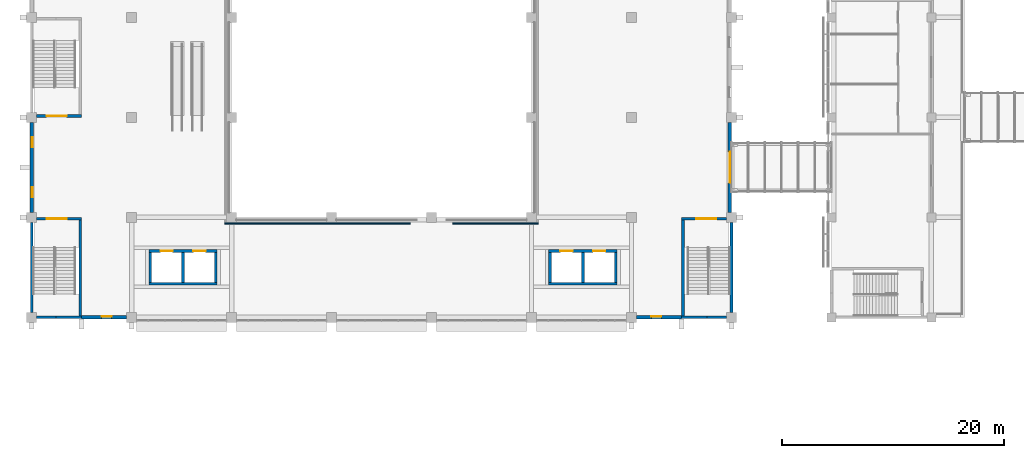
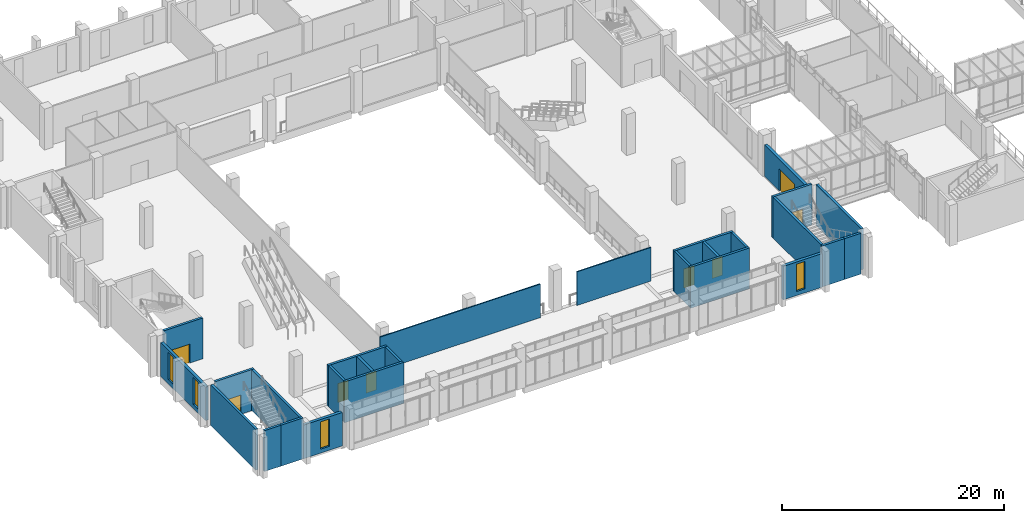
# One storey, part 57 of 88: 27 walls, 8 doors, 4 windows, 12 openings.
"""IFC4 building model written with IfcOpenShell, lengths in metres."""

from ifc_helpers import new_model, si_unit, direction, frame, frame_2d, origin, place, context, subcontext, project, spatial, rectangle, extrude, material, layer, layer_set, type_object, element, fill, save


model = new_model("IFC4")

# Units and contexts
model_context = context("Model", 3, precision=1e-05, world=origin(), true_north=direction((0.0, 1.0)))
body_context = subcontext(model_context, "Body", "Model", "MODEL_VIEW")
ifc_project = project(units=[si_unit("LENGTHUNIT", "METRE"), si_unit("AREAUNIT", "SQUARE_METRE"), si_unit("VOLUMEUNIT", "CUBIC_METRE"), si_unit("PLANEANGLEUNIT", "RADIAN"), si_unit("MASSUNIT", "GRAM", prefix="KILO")], contexts=[model_context])

# Site, building, storey
site_placement = place(None, origin())
site = spatial("IfcSite", under=ifc_project, at=site_placement, CompositionType="ELEMENT")
building_placement = place(site_placement, origin())
building = spatial("IfcBuilding", under=site, at=building_placement, Name="Guidao Yard Department Store", CompositionType="ELEMENT")
storey_placement = place(building_placement, frame((0.0, 0.0, 6.0)))
storey = spatial("IfcBuildingStorey", under=building, at=storey_placement, Name="L01", CompositionType="ELEMENT", Elevation=6.0)

# Walls
ifc_material_1 = material(Name="Fire-rated glazing in Steel Q235 frame", Category="steel")
ifc_layer_1 = layer(ifc_material_1, 0.1201171875)
ifc_layer_set_1 = layer_set([ifc_layer_1], Name="Fire-Glazed Screen P5 120 mm EI 60")
wall_type_1 = type_object("IfcWallType", Name="Fire-Glazed Screen P5 120 mm EI 60", PredefinedType="PARTITIONING", material=ifc_layer_set_1)
wall_1_placement = place(storey_placement, frame((17.389892578125, 53.449951171875, 0.0), z_axis=(0.0, 0.0, 1.0), x_axis=(1.0, 0.0, 0.0)))
element("IfcWall", 1, at=wall_1_placement, inside=storey, type_object=wall_type_1, Name="Wall W-HL01-001", PredefinedType="PARTITIONING", context=body_context, shape_type="SweptSolid", body=[
    extrude(rectangle(XDim=16.710205078125, YDim=0.1201171875, at=frame_2d((8.35498046875, 0.0))), origin(), (0.0, 0.0, 1.0), 3.699951171875),
])
wall_2_placement = place(storey_placement, frame((37.89990234375, 53.449951171875, 0.0), z_axis=(0.0, 0.0, 1.0), x_axis=(1.0, 0.0, 0.0)))
element("IfcWall", 2, at=wall_2_placement, inside=storey, type_object=wall_type_1, Name="Wall W-HL01-002", PredefinedType="PARTITIONING", context=body_context, shape_type="SweptSolid", body=[
    extrude(rectangle(XDim=7.710205078125, YDim=0.1201171875, at=frame_2d((3.85498046875, 0.0))), origin(), (0.0, 0.0, 1.0), 3.699951171875),
])

# Wall, opening, window
ifc_material_2 = material(Name="Concrete C35", Category="concrete")
ifc_layer_2 = layer(ifc_material_2, 0.300048828125)
ifc_layer_set_2 = layer_set([ifc_layer_2], Name="Hall facade wall 300 C35")
wall_type_2 = type_object("IfcWallType", Name="Hall facade wall 300 C35", PredefinedType="SOLIDWALL", material=ifc_layer_set_2)
wall_3_placement = place(storey_placement, frame((8.550048828125, 45.0, 0.0), z_axis=(0.0, 0.0, 1.0), x_axis=(-1.0, 0.0, 0.0)))
wall_3 = element("IfcWall", 3, at=wall_3_placement, inside=storey, type_object=wall_type_2, Name="Hall facade wall", PredefinedType="SOLIDWALL", context=body_context, shape_type="SweptSolid", body=[
    extrude(rectangle(XDim=4.050048828125, YDim=0.300048828125, at=frame_2d((2.02490234375, 0.0))), origin(), (0.0, 0.0, 1.0), 3.699951171875),
])
opening_1_placement = place(wall_3_placement, frame((1.35009765625, 0.0, 0.449951171875)))
opening_1 = element("IfcOpeningElement", 4, at=opening_1_placement, cuts=wall_3, Name="Opening WN-L01-E01", PredefinedType="OPENING", context=body_context, shape_type="SweptSolid", body=[
    extrude(rectangle(XDim=0.89990234375, YDim=3.0, at=frame_2d((0.449951171875, 1.5))), frame((0.0, 0.159912109375, 0.0), z_axis=(0.0, -1.0, 0.0), x_axis=(1.0, 0.0, 0.0)), (0.0, 0.0, 1.0), 0.320068359375),
])
ifc_material_3 = material(Name="Laminated glass in aluminium frame", Category="aluminium")
window_type = type_object("IfcWindowType", Name="Slot window SL1 900 x 3000 fixed", PartitioningType="SINGLE_PANEL", PredefinedType="WINDOW", material=ifc_material_3)
window_1_placement = place(opening_1_placement, origin())
window_1 = element("IfcWindow", 5, at=window_1_placement, inside=storey, type_object=window_type, Name="Slot window", OverallHeight=3.0, OverallWidth=0.89990234375, PartitioningType="SINGLE_PANEL", PredefinedType="WINDOW", context=body_context, shape_type="SweptSolid", body=[
    extrude(rectangle(XDim=0.89990234375, YDim=3.0, at=frame_2d((0.449951171875, 1.5))), frame((0.0, -0.030029296875, 0.0), z_axis=(0.0, -1.0, 0.0), x_axis=(1.0, 0.0, 0.0)), (0.0, 0.0, 1.0), 0.06005859375),
])
fill(opening_1, window_1)

wall_4_placement = place(storey_placement, frame((58.5, 45.0, 0.0), z_axis=(0.0, 0.0, 1.0), x_axis=(-1.0, 0.0, 0.0)))
wall_4 = element("IfcWall", 6, at=wall_4_placement, inside=storey, type_object=wall_type_2, Name="Hall facade wall", PredefinedType="SOLIDWALL", context=body_context, shape_type="SweptSolid", body=[
    extrude(rectangle(XDim=4.050048828125, YDim=0.300048828125, at=frame_2d((2.02490234375, 0.0))), origin(), (0.0, 0.0, 1.0), 3.699951171875),
])
opening_2_placement = place(wall_4_placement, frame((1.800048828125, 0.0, 0.449951171875)))
opening_2 = element("IfcOpeningElement", 7, at=opening_2_placement, cuts=wall_4, Name="Opening WN-L01-E02", PredefinedType="OPENING", context=body_context, shape_type="SweptSolid", body=[
    extrude(rectangle(XDim=0.89990234375, YDim=3.0, at=frame_2d((0.449951171875, 1.5))), frame((0.0, 0.159912109375, 0.0), z_axis=(0.0, -1.0, 0.0), x_axis=(1.0, 0.0, 0.0)), (0.0, 0.0, 1.0), 0.320068359375),
])
window_2_placement = place(opening_2_placement, origin())
window_2 = element("IfcWindow", 8, at=window_2_placement, inside=storey, type_object=window_type, Name="Slot window", OverallHeight=3.0, OverallWidth=0.89990234375, PartitioningType="SINGLE_PANEL", PredefinedType="WINDOW", context=body_context, shape_type="SweptSolid", body=[
    extrude(rectangle(XDim=0.89990234375, YDim=3.0, at=frame_2d((0.449951171875, 1.5))), frame((0.0, -0.030029296875, 0.0), z_axis=(0.0, -1.0, 0.0), x_axis=(1.0, 0.0, 0.0)), (0.0, 0.0, 1.0), 0.06005859375),
])
fill(opening_2, window_2)

# Wall, openings, windows
wall_5_placement = place(storey_placement, frame((0.0, 54.449951171875, 0.0), z_axis=(0.0, 0.0, 1.0), x_axis=(0.0, 1.0, 0.0)))
wall_5 = element("IfcWall", 9, at=wall_5_placement, inside=storey, type_object=wall_type_2, Name="Hall facade wall", PredefinedType="SOLIDWALL", context=body_context, shape_type="SweptSolid", body=[
    extrude(rectangle(XDim=8.10009765625, YDim=0.300048828125, at=frame_2d((4.050048828125, 0.0))), origin(), (0.0, 0.0, 1.0), 3.699951171875),
])
opening_3_placement = place(wall_5_placement, frame((1.35009765625, 0.0, 0.449951171875)))
opening_3 = element("IfcOpeningElement", 10, at=opening_3_placement, cuts=wall_5, Name="Opening WN-L01-E03", PredefinedType="OPENING", context=body_context, shape_type="SweptSolid", body=[
    extrude(rectangle(XDim=0.89990234375, YDim=3.0, at=frame_2d((0.449951171875, 1.5))), frame((0.0, 0.159912109375, 0.0), z_axis=(0.0, -1.0, 0.0), x_axis=(1.0, 0.0, 0.0)), (0.0, 0.0, 1.0), 0.320068359375),
])
opening_4_placement = place(wall_5_placement, frame((5.85009765625, 0.0, 0.449951171875)))
opening_4 = element("IfcOpeningElement", 11, at=opening_4_placement, cuts=wall_5, Name="Opening WN-L01-E04", PredefinedType="OPENING", context=body_context, shape_type="SweptSolid", body=[
    extrude(rectangle(XDim=0.89990234375, YDim=3.0, at=frame_2d((0.449951171875, 1.5))), frame((0.0, 0.159912109375, 0.0), z_axis=(0.0, -1.0, 0.0), x_axis=(1.0, 0.0, 0.0)), (0.0, 0.0, 1.0), 0.320068359375),
])
window_3_placement = place(opening_3_placement, origin())
window_3 = element("IfcWindow", 12, at=window_3_placement, inside=storey, type_object=window_type, Name="Slot window", OverallHeight=3.0, OverallWidth=0.89990234375, PartitioningType="SINGLE_PANEL", PredefinedType="WINDOW", context=body_context, shape_type="SweptSolid", body=[
    extrude(rectangle(XDim=0.89990234375, YDim=3.0, at=frame_2d((0.449951171875, 1.5))), frame((0.0, -0.030029296875, 0.0), z_axis=(0.0, -1.0, 0.0), x_axis=(1.0, 0.0, 0.0)), (0.0, 0.0, 1.0), 0.06005859375),
])
fill(opening_3, window_3)
window_4_placement = place(opening_4_placement, origin())
window_4 = element("IfcWindow", 13, at=window_4_placement, inside=storey, type_object=window_type, Name="Slot window", OverallHeight=3.0, OverallWidth=0.89990234375, PartitioningType="SINGLE_PANEL", PredefinedType="WINDOW", context=body_context, shape_type="SweptSolid", body=[
    extrude(rectangle(XDim=0.89990234375, YDim=3.0, at=frame_2d((0.449951171875, 1.5))), frame((0.0, -0.030029296875, 0.0), z_axis=(0.0, -1.0, 0.0), x_axis=(1.0, 0.0, 0.0)), (0.0, 0.0, 1.0), 0.06005859375),
])
fill(opening_4, window_4)

# Wall, opening, door
wall_6_placement = place(storey_placement, frame((62.85009765625, 62.550048828125, 0.0), z_axis=(0.0, 0.0, 1.0), x_axis=(0.0, -1.0, 0.0)))
wall_6 = element("IfcWall", 14, at=wall_6_placement, inside=storey, type_object=wall_type_2, Name="Hall facade wall", PredefinedType="SOLIDWALL", context=body_context, shape_type="SweptSolid", body=[
    extrude(rectangle(XDim=8.10009765625, YDim=0.300048828125, at=frame_2d((4.050048828125, 0.0))), origin(), (0.0, 0.0, 1.0), 3.449951171875),
])
opening_5_placement = place(wall_6_placement, frame((2.64990234375, 0.0, 0.0)))
opening_5 = element("IfcOpeningElement", 15, at=opening_5_placement, cuts=wall_6, Name="Opening L01-850", PredefinedType="OPENING", context=body_context, shape_type="SweptSolid", body=[
    extrude(rectangle(XDim=2.800048828125, YDim=2.39990234375, at=frame_2d((1.39990234375, 1.199951171875))), frame((0.0, 0.159912109375, 0.0), z_axis=(0.0, -1.0, 0.0), x_axis=(1.0, 0.0, 0.0)), (0.0, 0.0, 1.0), 0.320068359375),
])
ifc_material_4 = material(Name="Fire-resistant glass in steel frame", Category="steel")
door_type_1 = type_object("IfcDoorType", Name="Bridge door BD1 2800 x 2400 fire-rated glazed double leaf", OperationType="DOUBLE_DOOR_SINGLE_SWING", PredefinedType="DOOR", material=ifc_material_4)
door_1_placement = place(opening_5_placement, origin())
door_1 = element("IfcDoor", 16, at=door_1_placement, inside=storey, type_object=door_type_1, Name="Bridge door BR01", OperationType="DOUBLE_DOOR_SINGLE_SWING", OverallHeight=2.39990234375, OverallWidth=2.800048828125, PredefinedType="DOOR", context=body_context, shape_type="SweptSolid", body=[
    extrude(rectangle(XDim=2.800048828125, YDim=2.39990234375, at=frame_2d((1.39990234375, 1.199951171875))), frame((0.0, 0.02490234375, 0.0), z_axis=(0.0, -1.0, 0.0), x_axis=(1.0, 0.0, 0.0)), (0.0, 0.0, 1.0), 0.050048828125),
])
fill(opening_5, door_1)

ifc_material_5 = material(Name="Concrete C40", Category="concrete")
ifc_layer_3 = layer(ifc_material_5, 0.25)
ifc_layer_set_3 = layer_set([ifc_layer_3], Name="Wall RC 250 C40 stair and shaft")
wall_type_3 = type_object("IfcWallType", Name="Wall RC 250 C40 stair and shaft", PredefinedType="SHEAR", material=ifc_layer_set_3)
wall_7_placement = place(storey_placement, frame((0.449951171875, 63.125, 0.0), z_axis=(0.0, 0.0, 1.0), x_axis=(1.0, 0.0, 0.0)))
wall_7 = element("IfcWall", 17, at=wall_7_placement, inside=storey, type_object=wall_type_3, Name="Stair wall SA1", PredefinedType="SHEAR", context=body_context, shape_type="SweptSolid", body=[
    extrude(rectangle(XDim=4.050048828125, YDim=0.25, at=frame_2d((2.02490234375, 0.0))), origin(), (0.0, 0.0, 1.0), 4.5),
])
opening_6_placement = place(wall_7_placement, frame((0.89990234375, 0.0, 0.0)))
opening_6 = element("IfcOpeningElement", 18, at=opening_6_placement, cuts=wall_7, Name="Opening L01-800", PredefinedType="OPENING", context=body_context, shape_type="SweptSolid", body=[
    extrude(rectangle(XDim=1.800048828125, YDim=2.10009765625, at=frame_2d((0.89990234375, 1.050048828125))), frame((0.0, 0.135009765625, 0.0), z_axis=(0.0, -1.0, 0.0), x_axis=(1.0, 0.0, 0.0)), (0.0, 0.0, 1.0), 0.27001953125),
])
ifc_material_6 = material(Name="Steel Q235", Category="steel")
door_type_2 = type_object("IfcDoorType", Name="Door fire-resisting 1800 x 2100 FD60", OperationType="DOUBLE_DOOR_SINGLE_SWING", PredefinedType="DOOR", material=ifc_material_6)
door_2_placement = place(opening_6_placement, origin())
door_2 = element("IfcDoor", 19, at=door_2_placement, inside=storey, type_object=door_type_2, Name="Stair A1 door L01", OperationType="DOUBLE_DOOR_SINGLE_SWING", OverallHeight=2.10009765625, OverallWidth=1.800048828125, PredefinedType="DOOR", context=body_context, shape_type="SweptSolid", body=[
    extrude(rectangle(XDim=1.800048828125, YDim=2.10009765625, at=frame_2d((0.89990234375, 1.050048828125))), frame((0.0, 0.02490234375, 0.0), z_axis=(0.0, -1.0, 0.0), x_axis=(1.0, 0.0, 0.0)), (0.0, 0.0, 1.0), 0.050048828125),
])
fill(opening_6, door_2)

# Walls
wall_8_placement = place(storey_placement, frame((58.5, 45.0, 0.0), z_axis=(0.0, 0.0, 1.0), x_axis=(1.0, 0.0, 0.0)))
element("IfcWall", 20, at=wall_8_placement, inside=storey, type_object=wall_type_3, Name="Stair wall SA2", PredefinedType="SHEAR", context=body_context, shape_type="SweptSolid", body=[
    extrude(rectangle(XDim=2.31201171875, YDim=0.25, at=frame_2d((1.156005859375, 0.0))), origin(), (0.0, 0.0, 1.0), 4.5),
])
wall_9_placement = place(storey_placement, frame((60.81201171875, 45.0, 0.0), z_axis=(0.0, 0.0, 1.0), x_axis=(1.0, 0.0, 0.0)))
element("IfcWall", 21, at=wall_9_placement, inside=storey, type_object=wall_type_3, Name="Stair wall SA2", PredefinedType="SHEAR", context=body_context, shape_type="SweptSolid", body=[
    extrude(rectangle(XDim=1.738037109375, YDim=0.25, at=frame_2d((0.869140625, 0.0))), origin(), (0.0, 0.0, 1.0), 4.5),
])

# Wall, opening, door
wall_10_placement = place(storey_placement, frame((58.5, 53.875, 0.0), z_axis=(0.0, 0.0, 1.0), x_axis=(1.0, 0.0, 0.0)))
wall_10 = element("IfcWall", 22, at=wall_10_placement, inside=storey, type_object=wall_type_3, Name="Stair wall SA2", PredefinedType="SHEAR", context=body_context, shape_type="SweptSolid", body=[
    extrude(rectangle(XDim=4.050048828125, YDim=0.25, at=frame_2d((2.02490234375, 0.0))), origin(), (0.0, 0.0, 1.0), 4.5),
])
opening_7_placement = place(wall_10_placement, frame((3.150146484375, 0.0, 0.0), z_axis=(0.0, 0.0, 1.0), x_axis=(-1.0, 0.0, 0.0)))
opening_7 = element("IfcOpeningElement", 23, at=opening_7_placement, cuts=wall_10, Name="Opening L01-801", PredefinedType="OPENING", context=body_context, shape_type="SweptSolid", body=[
    extrude(rectangle(XDim=1.800048828125, YDim=2.10009765625, at=frame_2d((0.89990234375, 1.050048828125))), frame((0.0, 0.135009765625, 0.0), z_axis=(0.0, -1.0, 0.0), x_axis=(1.0, 0.0, 0.0)), (0.0, 0.0, 1.0), 0.27001953125),
])
door_3_placement = place(opening_7_placement, origin())
door_3 = element("IfcDoor", 24, at=door_3_placement, inside=storey, type_object=door_type_2, Name="Stair A2 door L01", OperationType="DOUBLE_DOOR_SINGLE_SWING", OverallHeight=2.10009765625, OverallWidth=1.800048828125, PredefinedType="DOOR", context=body_context, shape_type="SweptSolid", body=[
    extrude(rectangle(XDim=1.800048828125, YDim=2.10009765625, at=frame_2d((0.89990234375, 1.050048828125))), frame((0.0, 0.02490234375, 0.0), z_axis=(0.0, -1.0, 0.0), x_axis=(1.0, 0.0, 0.0)), (0.0, 0.0, 1.0), 0.050048828125),
])
fill(opening_7, door_3)

# Walls
wall_11_placement = place(storey_placement, frame((58.625, 45.125, 0.0), z_axis=(0.0, 0.0, 1.0), x_axis=(0.0, 1.0, 0.0)))
element("IfcWall", 25, at=wall_11_placement, inside=storey, type_object=wall_type_3, Name="Stair wall SA2", PredefinedType="SHEAR", context=body_context, shape_type="SweptSolid", body=[
    extrude(rectangle(XDim=8.625, YDim=0.25, at=frame_2d((4.3125, 0.0))), origin(), (0.0, 0.0, 1.0), 4.5),
])
wall_12_placement = place(storey_placement, frame((63.0, 45.449951171875, 0.0), z_axis=(0.0, 0.0, 1.0), x_axis=(0.0, 1.0, 0.0)))
element("IfcWall", 26, at=wall_12_placement, inside=storey, type_object=wall_type_3, Name="Stair wall SA2", PredefinedType="SHEAR", context=body_context, shape_type="SweptSolid", body=[
    extrude(rectangle(XDim=8.10009765625, YDim=0.25, at=frame_2d((4.050048828125, 0.0))), origin(), (0.0, 0.0, 1.0), 4.5),
])
wall_13_placement = place(storey_placement, frame((0.449951171875, 45.0, 0.0), z_axis=(0.0, 0.0, 1.0), x_axis=(1.0, 0.0, 0.0)))
element("IfcWall", 27, at=wall_13_placement, inside=storey, type_object=wall_type_3, Name="Stair wall SA8", PredefinedType="SHEAR", context=body_context, shape_type="SweptSolid", body=[
    extrude(rectangle(XDim=1.738037109375, YDim=0.25, at=frame_2d((0.869140625, 0.0))), origin(), (0.0, 0.0, 1.0), 4.5),
])
wall_14_placement = place(storey_placement, frame((2.18798828125, 45.0, 0.0), z_axis=(0.0, 0.0, 1.0), x_axis=(1.0, 0.0, 0.0)))
element("IfcWall", 28, at=wall_14_placement, inside=storey, type_object=wall_type_3, Name="Stair wall SA8", PredefinedType="SHEAR", context=body_context, shape_type="SweptSolid", body=[
    extrude(rectangle(XDim=2.31201171875, YDim=0.25, at=frame_2d((1.156005859375, 0.0))), origin(), (0.0, 0.0, 1.0), 4.5),
])

# Wall, opening, door
wall_15_placement = place(storey_placement, frame((0.449951171875, 53.875, 0.0), z_axis=(0.0, 0.0, 1.0), x_axis=(1.0, 0.0, 0.0)))
wall_15 = element("IfcWall", 29, at=wall_15_placement, inside=storey, type_object=wall_type_3, Name="Stair wall SA8", PredefinedType="SHEAR", context=body_context, shape_type="SweptSolid", body=[
    extrude(rectangle(XDim=4.050048828125, YDim=0.25, at=frame_2d((2.02490234375, 0.0))), origin(), (0.0, 0.0, 1.0), 4.5),
])
opening_8_placement = place(wall_15_placement, frame((2.699951171875, 0.0, 0.0), z_axis=(0.0, 0.0, 1.0), x_axis=(-1.0, 0.0, 0.0)))
opening_8 = element("IfcOpeningElement", 30, at=opening_8_placement, cuts=wall_15, Name="Opening L01-807", PredefinedType="OPENING", context=body_context, shape_type="SweptSolid", body=[
    extrude(rectangle(XDim=1.800048828125, YDim=2.10009765625, at=frame_2d((0.89990234375, 1.050048828125))), frame((0.0, 0.135009765625, 0.0), z_axis=(0.0, -1.0, 0.0), x_axis=(1.0, 0.0, 0.0)), (0.0, 0.0, 1.0), 0.27001953125),
])
door_4_placement = place(opening_8_placement, origin())
door_4 = element("IfcDoor", 31, at=door_4_placement, inside=storey, type_object=door_type_2, Name="Stair A8 door L01", OperationType="DOUBLE_DOOR_SINGLE_SWING", OverallHeight=2.10009765625, OverallWidth=1.800048828125, PredefinedType="DOOR", context=body_context, shape_type="SweptSolid", body=[
    extrude(rectangle(XDim=1.800048828125, YDim=2.10009765625, at=frame_2d((0.89990234375, 1.050048828125))), frame((0.0, 0.02490234375, 0.0), z_axis=(0.0, -1.0, 0.0), x_axis=(1.0, 0.0, 0.0)), (0.0, 0.0, 1.0), 0.050048828125),
])
fill(opening_8, door_4)

# Walls
wall_16_placement = place(storey_placement, frame((0.0, 45.449951171875, 0.0), z_axis=(0.0, 0.0, 1.0), x_axis=(0.0, 1.0, 0.0)))
element("IfcWall", 32, at=wall_16_placement, inside=storey, type_object=wall_type_3, Name="Stair wall SA8", PredefinedType="SHEAR", context=body_context, shape_type="SweptSolid", body=[
    extrude(rectangle(XDim=8.10009765625, YDim=0.25, at=frame_2d((4.050048828125, 0.0))), origin(), (0.0, 0.0, 1.0), 4.5),
])
wall_17_placement = place(storey_placement, frame((4.375, 45.125, 0.0), z_axis=(0.0, 0.0, 1.0), x_axis=(0.0, 1.0, 0.0)))
element("IfcWall", 33, at=wall_17_placement, inside=storey, type_object=wall_type_3, Name="Stair wall SA8", PredefinedType="SHEAR", context=body_context, shape_type="SweptSolid", body=[
    extrude(rectangle(XDim=8.625, YDim=0.25, at=frame_2d((4.3125, 0.0))), origin(), (0.0, 0.0, 1.0), 4.5),
])

# Wall, openings, doors
wall_18_placement = place(storey_placement, frame((10.550048828125, 50.97509765625, 0.0), z_axis=(0.0, 0.0, 1.0), x_axis=(1.0, 0.0, 0.0)))
wall_18 = element("IfcWall", 34, at=wall_18_placement, inside=storey, type_object=wall_type_3, Name="Lift shaft wall HL1 to HL2", PredefinedType="SHEAR", context=body_context, shape_type="SweptSolid", body=[
    extrude(rectangle(XDim=6.14990234375, YDim=0.25, at=frame_2d((3.074951171875, 0.0))), origin(), (0.0, 0.0, 1.0), 4.5),
])
opening_9_placement = place(wall_18_placement, frame((1.050048828125, 0.0, 0.0)))
opening_9 = element("IfcOpeningElement", 35, at=opening_9_placement, cuts=wall_18, Name="Opening LD-HL1-L01", PredefinedType="OPENING", context=body_context, shape_type="SweptSolid", body=[
    extrude(rectangle(XDim=1.10009765625, YDim=2.10009765625, at=frame_2d((0.550048828125, 1.050048828125))), frame((0.0, 0.135009765625, 0.0), z_axis=(0.0, -1.0, 0.0), x_axis=(1.0, 0.0, 0.0)), (0.0, 0.0, 1.0), 0.27001953125),
])
opening_10_placement = place(wall_18_placement, frame((4.0, 0.0, 0.0)))
opening_10 = element("IfcOpeningElement", 36, at=opening_10_placement, cuts=wall_18, Name="Opening LD-HL2-L01", PredefinedType="OPENING", context=body_context, shape_type="SweptSolid", body=[
    extrude(rectangle(XDim=1.10009765625, YDim=2.10009765625, at=frame_2d((0.550048828125, 1.050048828125))), frame((0.0, 0.135009765625, 0.0), z_axis=(0.0, -1.0, 0.0), x_axis=(1.0, 0.0, 0.0)), (0.0, 0.0, 1.0), 0.27001953125),
])
ifc_material_7 = material(Name="Stainless steel 06Cr19Ni10", Category="steel")
door_type_3 = type_object("IfcDoorType", Name="Lift landing door fire-resisting sliding 1100 x 2100", OperationType="DOUBLE_DOOR_SLIDING", PredefinedType="DOOR", material=ifc_material_7)
door_5_placement = place(opening_9_placement, origin())
door_5 = element("IfcDoor", 37, at=door_5_placement, inside=storey, type_object=door_type_3, Name="Lift landing door HL1 L01", OperationType="DOUBLE_DOOR_SLIDING", OverallHeight=2.10009765625, OverallWidth=1.10009765625, PredefinedType="DOOR", context=body_context, shape_type="SweptSolid", body=[
    extrude(rectangle(XDim=1.10009765625, YDim=2.10009765625, at=frame_2d((0.550048828125, 1.050048828125))), frame((0.0, 0.02490234375, 0.0), z_axis=(0.0, -1.0, 0.0), x_axis=(1.0, 0.0, 0.0)), (0.0, 0.0, 1.0), 0.050048828125),
])
fill(opening_9, door_5)
door_6_placement = place(opening_10_placement, origin())
door_6 = element("IfcDoor", 38, at=door_6_placement, inside=storey, type_object=door_type_3, Name="Lift landing door HL2 L01", OperationType="DOUBLE_DOOR_SLIDING", OverallHeight=2.10009765625, OverallWidth=1.10009765625, PredefinedType="DOOR", context=body_context, shape_type="SweptSolid", body=[
    extrude(rectangle(XDim=1.10009765625, YDim=2.10009765625, at=frame_2d((0.550048828125, 1.050048828125))), frame((0.0, 0.02490234375, 0.0), z_axis=(0.0, -1.0, 0.0), x_axis=(1.0, 0.0, 0.0)), (0.0, 0.0, 1.0), 0.050048828125),
])
fill(opening_10, door_6)

# Walls
wall_19_placement = place(storey_placement, frame((10.550048828125, 48.02490234375, 0.0), z_axis=(0.0, 0.0, 1.0), x_axis=(1.0, 0.0, 0.0)))
element("IfcWall", 39, at=wall_19_placement, inside=storey, type_object=wall_type_3, Name="Lift shaft wall HL1 to HL2", PredefinedType="SHEAR", context=body_context, shape_type="SweptSolid", body=[
    extrude(rectangle(XDim=6.14990234375, YDim=0.25, at=frame_2d((3.074951171875, 0.0))), origin(), (0.0, 0.0, 1.0), 4.5),
])
for number, where, z_axis, x_axis, name in (
    (40, (10.675048828125, 48.14990234375, 0.0), (0.0, 0.0, 1.0), (0.0, 1.0, 0.0), "Lift shaft wall HL1 to HL2"),
    (41, (13.625, 48.14990234375, 0.0), (0.0, 0.0, 1.0), (0.0, 1.0, 0.0), "Lift shaft wall HL1 to HL2"),
    (42, (16.574951171875, 48.14990234375, 0.0), (0.0, 0.0, 1.0), (0.0, 1.0, 0.0), "Lift shaft wall HL1 to HL2"),
):
    element("IfcWall", number, at=place(storey_placement, frame(where, z_axis=z_axis, x_axis=x_axis)), inside=storey, type_object=wall_type_3, Name=name, PredefinedType="SHEAR", context=body_context, shape_type="SweptSolid", body=[
        extrude(rectangle(XDim=2.7001953125, YDim=0.25, at=frame_2d((1.35009765625, 0.0))), origin(), (0.0, 0.0, 1.0), 4.5),
    ])

# Wall, openings, doors
wall_20_placement = place(storey_placement, frame((46.550048828125, 50.97509765625, 0.0), z_axis=(0.0, 0.0, 1.0), x_axis=(1.0, 0.0, 0.0)))
wall_20 = element("IfcWall", 43, at=wall_20_placement, inside=storey, type_object=wall_type_3, Name="Lift shaft wall HL3 to HL4", PredefinedType="SHEAR", context=body_context, shape_type="SweptSolid", body=[
    extrude(rectangle(XDim=6.14990234375, YDim=0.25, at=frame_2d((3.074951171875, 0.0))), origin(), (0.0, 0.0, 1.0), 4.5),
])
opening_11_placement = place(wall_20_placement, frame((1.050048828125, 0.0, 0.0)))
opening_11 = element("IfcOpeningElement", 44, at=opening_11_placement, cuts=wall_20, Name="Opening LD-HL3-L01", PredefinedType="OPENING", context=body_context, shape_type="SweptSolid", body=[
    extrude(rectangle(XDim=1.10009765625, YDim=2.10009765625, at=frame_2d((0.550048828125, 1.050048828125))), frame((0.0, 0.135009765625, 0.0), z_axis=(0.0, -1.0, 0.0), x_axis=(1.0, 0.0, 0.0)), (0.0, 0.0, 1.0), 0.27001953125),
])
opening_12_placement = place(wall_20_placement, frame((4.0, 0.0, 0.0)))
opening_12 = element("IfcOpeningElement", 45, at=opening_12_placement, cuts=wall_20, Name="Opening LD-HL4-L01", PredefinedType="OPENING", context=body_context, shape_type="SweptSolid", body=[
    extrude(rectangle(XDim=1.10009765625, YDim=2.10009765625, at=frame_2d((0.550048828125, 1.050048828125))), frame((0.0, 0.135009765625, 0.0), z_axis=(0.0, -1.0, 0.0), x_axis=(1.0, 0.0, 0.0)), (0.0, 0.0, 1.0), 0.27001953125),
])
door_7_placement = place(opening_11_placement, origin())
door_7 = element("IfcDoor", 46, at=door_7_placement, inside=storey, type_object=door_type_3, Name="Lift landing door HL3 L01", OperationType="DOUBLE_DOOR_SLIDING", OverallHeight=2.10009765625, OverallWidth=1.10009765625, PredefinedType="DOOR", context=body_context, shape_type="SweptSolid", body=[
    extrude(rectangle(XDim=1.10009765625, YDim=2.10009765625, at=frame_2d((0.550048828125, 1.050048828125))), frame((0.0, 0.02490234375, 0.0), z_axis=(0.0, -1.0, 0.0), x_axis=(1.0, 0.0, 0.0)), (0.0, 0.0, 1.0), 0.050048828125),
])
fill(opening_11, door_7)
door_8_placement = place(opening_12_placement, origin())
door_8 = element("IfcDoor", 47, at=door_8_placement, inside=storey, type_object=door_type_3, Name="Lift landing door HL4 L01", OperationType="DOUBLE_DOOR_SLIDING", OverallHeight=2.10009765625, OverallWidth=1.10009765625, PredefinedType="DOOR", context=body_context, shape_type="SweptSolid", body=[
    extrude(rectangle(XDim=1.10009765625, YDim=2.10009765625, at=frame_2d((0.550048828125, 1.050048828125))), frame((0.0, 0.02490234375, 0.0), z_axis=(0.0, -1.0, 0.0), x_axis=(1.0, 0.0, 0.0)), (0.0, 0.0, 1.0), 0.050048828125),
])
fill(opening_12, door_8)

# Walls
wall_21_placement = place(storey_placement, frame((46.550048828125, 48.02490234375, 0.0), z_axis=(0.0, 0.0, 1.0), x_axis=(1.0, 0.0, 0.0)))
element("IfcWall", 48, at=wall_21_placement, inside=storey, type_object=wall_type_3, Name="Lift shaft wall HL3 to HL4", PredefinedType="SHEAR", context=body_context, shape_type="SweptSolid", body=[
    extrude(rectangle(XDim=6.14990234375, YDim=0.25, at=frame_2d((3.074951171875, 0.0))), origin(), (0.0, 0.0, 1.0), 4.5),
])
for number, where, z_axis, x_axis, name in (
    (49, (46.675048828125, 48.14990234375, 0.0), (0.0, 0.0, 1.0), (0.0, 1.0, 0.0), "Lift shaft wall HL3 to HL4"),
    (50, (49.625, 48.14990234375, 0.0), (0.0, 0.0, 1.0), (0.0, 1.0, 0.0), "Lift shaft wall HL3 to HL4"),
    (51, (52.574951171875, 48.14990234375, 0.0), (0.0, 0.0, 1.0), (0.0, 1.0, 0.0), "Lift shaft wall HL3 to HL4"),
):
    element("IfcWall", number, at=place(storey_placement, frame(where, z_axis=z_axis, x_axis=x_axis)), inside=storey, type_object=wall_type_3, Name=name, PredefinedType="SHEAR", context=body_context, shape_type="SweptSolid", body=[
        extrude(rectangle(XDim=2.7001953125, YDim=0.25, at=frame_2d((1.35009765625, 0.0))), origin(), (0.0, 0.0, 1.0), 4.5),
    ])

save(model, "model.ifc")
